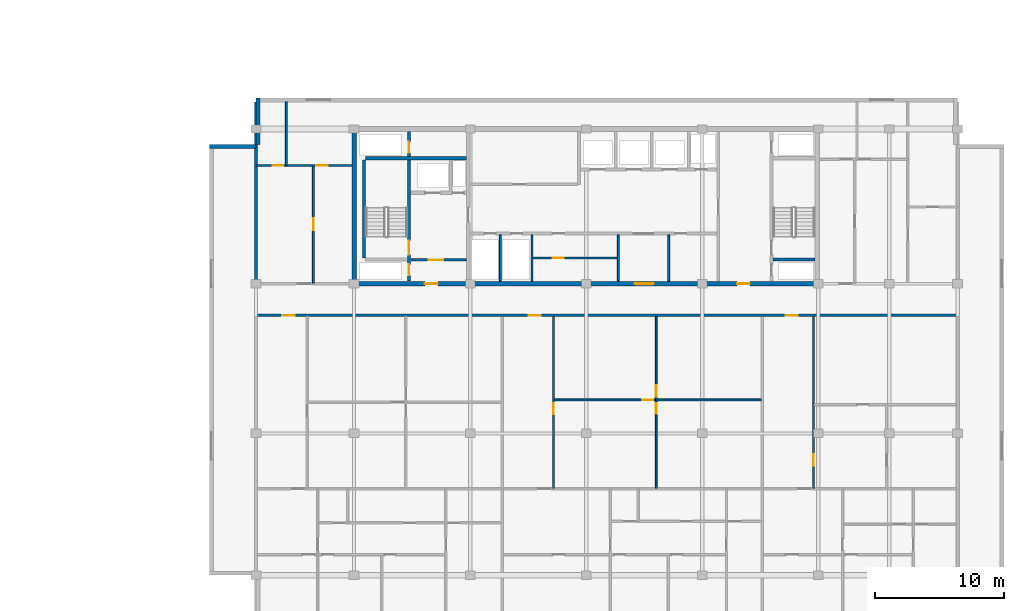
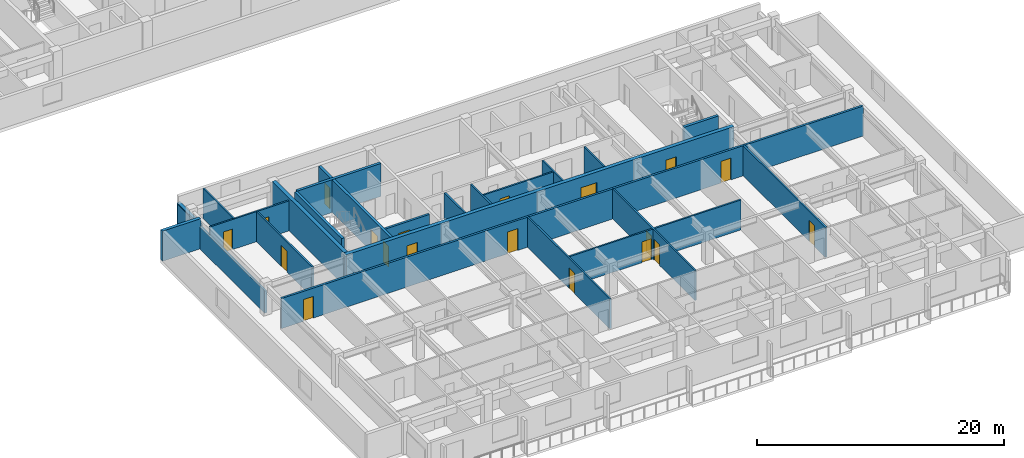
# One storey, part 6 of 23: 23 walls, 19 doors, 19 openings.
"""IFC4 building model written with IfcOpenShell, lengths in metres."""

from ifc_helpers import new_model, si_unit, direction, frame, frame_2d, origin, place, context, subcontext, project, spatial, rectangle, extrude, material, layer, layer_set, type_object, element, fill, save


model = new_model("IFC4")

# Units and contexts
model_context = context("Model", 3, precision=1e-05, world=origin(), true_north=direction((0.0, 1.0)))
body_context = subcontext(model_context, "Body", "Model", "MODEL_VIEW")
ifc_project = project(units=[si_unit("LENGTHUNIT", "METRE"), si_unit("AREAUNIT", "SQUARE_METRE"), si_unit("VOLUMEUNIT", "CUBIC_METRE"), si_unit("PLANEANGLEUNIT", "RADIAN"), si_unit("MASSUNIT", "GRAM", prefix="KILO")], contexts=[model_context])

# Site, building, storey
site_placement = place(None, origin())
site = spatial("IfcSite", under=ifc_project, at=site_placement, CompositionType="ELEMENT")
building_placement = place(site_placement, origin())
building = spatial("IfcBuilding", under=site, at=building_placement, Name="Korimba Cascade Residences", CompositionType="ELEMENT")
storey_placement = place(building_placement, frame((0.0, 0.0, 162.10009765625)))
storey = spatial("IfcBuildingStorey", under=building, at=storey_placement, Name="L46", CompositionType="ELEMENT", Elevation=162.10009765625)

# Walls
ifc_material_1 = material(Name="Precast concrete C40/50", Category="concrete")
ifc_layer_1 = layer(ifc_material_1, 0.300048828125)
ifc_layer_set_1 = layer_set([ifc_layer_1], Name="Precast concrete C40/50")
wall_type_1 = type_object("IfcWallType", Name="EW-STONE-300", PredefinedType="STANDARD", material=ifc_layer_set_1)
wall_1_placement = place(storey_placement, frame((74.64990234375, 32.800048828125, 0.0), z_axis=(0.0, 0.0, 1.0), x_axis=(0.0, -1.0, 0.0)))
element("IfcWall", 1, at=wall_1_placement, inside=storey, type_object=wall_type_1, Name="L46 T2 Perimeter Stone Wall E07", PredefinedType="STANDARD", context=body_context, shape_type="SweptSolid", body=[
    extrude(rectangle(XDim=3.60009765625, YDim=0.300048828125, at=frame_2d((1.800048828125, 0.0))), origin(), (0.0, 0.0, 1.0), 2.2001953125),
])
wall_2_placement = place(storey_placement, frame((74.5, 29.050048828125, 0.0), z_axis=(0.0, 0.0, 1.0), x_axis=(-1.0, 0.0, 0.0)))
element("IfcWall", 2, at=wall_2_placement, inside=storey, type_object=wall_type_1, Name="L46 T2 Perimeter Stone Wall E08", PredefinedType="STANDARD", context=body_context, shape_type="SweptSolid", body=[
    extrude(rectangle(XDim=3.60009765625, YDim=0.300048828125, at=frame_2d((1.800048828125, 0.0))), origin(), (0.0, 0.0, 1.0), 2.969970703125),
])
ifc_material_2 = material(Name="Concrete C65/80", Category="concrete")
ifc_layer_2 = layer(ifc_material_2, 0.35009765625)
ifc_layer_set_2 = layer_set([ifc_layer_2], Name="Concrete C65/80")
wall_type_2 = type_object("IfcWallType", Name="WAL-CORE-350", PredefinedType="SHEAR", material=ifc_layer_set_2)
wall_3_placement = place(storey_placement, frame((82.10009765625, 18.574951171875, 0.0), z_axis=(0.0, 0.0, 1.0), x_axis=(0.0, 1.0, 0.0)))
element("IfcWall", 3, at=wall_3_placement, inside=storey, type_object=wall_type_2, Name="L46 Core Shear Wall CW-L46-T2-W", PredefinedType="SHEAR", context=body_context, shape_type="SweptSolid", body=[
    extrude(rectangle(XDim=11.650146484375, YDim=0.35009765625, at=frame_2d((5.8251953125, 0.0))), origin(), (0.0, 0.0, 1.0), 3.25),
])

# Wall, openings, doors
wall_4_placement = place(storey_placement, frame((81.925048828125, 18.39990234375, 0.0), z_axis=(0.0, 0.0, 1.0), x_axis=(1.0, 0.0, 0.0)))
wall_4 = element("IfcWall", 4, at=wall_4_placement, inside=storey, type_object=wall_type_2, Name="L46 Core Shear Wall CW-L46-T2-S", PredefinedType="SHEAR", context=body_context, shape_type="SweptSolid", body=[
    extrude(rectangle(XDim=36.264892578125, YDim=0.35009765625, at=frame_2d((18.13232421875, 0.0))), origin(), (0.0, 0.0, 1.0), 3.25),
])
opening_1_placement = place(wall_4_placement, frame((5.675048828125, 0.0, 0.0)))
opening_1 = element("IfcOpeningElement", 5, at=opening_1_placement, cuts=wall_4, Name="Opening D-FD5", PredefinedType="OPENING", context=body_context, shape_type="SweptSolid", body=[
    extrude(rectangle(XDim=1.0, YDim=2.14990234375, at=frame_2d((0.5, 1.074951171875))), frame((0.0, 0.18505859375, 0.0), z_axis=(0.0, -1.0, 0.0), x_axis=(1.0, 0.0, 0.0)), (0.0, 0.0, 1.0), 0.3701171875),
])
opening_2_placement = place(wall_4_placement, frame((21.925048828125, 0.0, 0.0)))
opening_2 = element("IfcOpeningElement", 6, at=opening_2_placement, cuts=wall_4, Name="Opening D-FD8", PredefinedType="OPENING", context=body_context, shape_type="SweptSolid", body=[
    extrude(rectangle(XDim=1.5, YDim=2.199951171875, at=frame_2d((0.75, 1.10009765625))), frame((0.0, 0.18505859375, 0.0), z_axis=(0.0, -1.0, 0.0), x_axis=(1.0, 0.0, 0.0)), (0.0, 0.0, 1.0), 0.3701171875),
])
opening_3_placement = place(wall_4_placement, frame((29.875, 0.0, 0.0)))
opening_3 = element("IfcOpeningElement", 7, at=opening_3_placement, cuts=wall_4, Name="Opening D-FD5", PredefinedType="OPENING", context=body_context, shape_type="SweptSolid", body=[
    extrude(rectangle(XDim=1.0, YDim=2.14990234375, at=frame_2d((0.5, 1.074951171875))), frame((0.0, 0.18505859375, 0.0), z_axis=(0.0, -1.0, 0.0), x_axis=(1.0, 0.0, 0.0)), (0.0, 0.0, 1.0), 0.3701171875),
])
ifc_material_3 = material(Name="Fire-Rated Acoustic Timber Vestibule Door", Category="wood")
door_type_1 = type_object("IfcDoorType", Name="DR-FD90-1000", OperationType="NOTDEFINED", PredefinedType="DOOR", material=ifc_material_3)
door_1_placement = place(opening_1_placement, origin())
door_1 = element("IfcDoor", 8, at=door_1_placement, inside=storey, type_object=door_type_1, Name="L46 T2 West Core Vestibule Fire Door", OperationType="SINGLE_SWING_LEFT", OverallHeight=2.14990234375, OverallWidth=1.0, PredefinedType="DOOR", context=body_context, shape_type="SweptSolid", body=[
    extrude(rectangle(XDim=1.0, YDim=2.14990234375, at=frame_2d((0.5, 1.074951171875))), frame((0.0, 0.02490234375, 0.0), z_axis=(0.0, -1.0, 0.0), x_axis=(1.0, 0.0, 0.0)), (0.0, 0.0, 1.0), 0.050048828125),
])
fill(opening_1, door_1)
door_2_placement = place(opening_3_placement, origin())
door_2 = element("IfcDoor", 9, at=door_2_placement, inside=storey, type_object=door_type_1, Name="L46 T2 East Stair Vestibule Fire Door", OperationType="SINGLE_SWING_RIGHT", OverallHeight=2.14990234375, OverallWidth=1.0, PredefinedType="DOOR", context=body_context, shape_type="SweptSolid", body=[
    extrude(rectangle(XDim=1.0, YDim=2.14990234375, at=frame_2d((0.5, 1.074951171875))), frame((0.0, 0.02490234375, 0.0), z_axis=(0.0, -1.0, 0.0), x_axis=(1.0, 0.0, 0.0)), (0.0, 0.0, 1.0), 0.050048828125),
])
fill(opening_3, door_2)
ifc_material_4 = material(Name="Fire-Rated Glazed Lift Lobby Double Door", Category="glass")
door_type_2 = type_object("IfcDoorType", Name="DR-FD90-1500", OperationType="NOTDEFINED", PredefinedType="DOOR", material=ifc_material_4)
door_3_placement = place(opening_2_placement, origin())
door_3 = element("IfcDoor", 10, at=door_3_placement, inside=storey, type_object=door_type_2, Name="L46 T2 Lift Lobby Fire Door", OperationType="DOUBLE_DOOR_SINGLE_SWING", OverallHeight=2.199951171875, OverallWidth=1.5, PredefinedType="DOOR", context=body_context, shape_type="SweptSolid", body=[
    extrude(rectangle(XDim=1.5, YDim=2.199951171875, at=frame_2d((0.75, 1.10009765625))), frame((0.0, 0.02490234375, 0.0), z_axis=(0.0, -1.0, 0.0), x_axis=(1.0, 0.0, 0.0)), (0.0, 0.0, 1.0), 0.050048828125),
])
fill(opening_2, door_3)

# Wall
ifc_layer_3 = layer(ifc_material_1, 0.199951171875)
ifc_layer_set_3 = layer_set([ifc_layer_3], Name="Precast concrete C40/50")
wall_type_3 = type_object("IfcWallType", Name="WAL-IT-200", PredefinedType="PARTITIONING", material=ifc_layer_set_3)
wall_5_placement = place(storey_placement, frame((74.5, 18.39990234375, 0.0), z_axis=(0.0, 0.0, 1.0), x_axis=(0.0, 1.0, 0.0)))
element("IfcWall", 11, at=wall_5_placement, inside=storey, type_object=wall_type_3, Name="L46 Partition Wall WAL-L46-T2-FW-WL", PredefinedType="PARTITIONING", context=body_context, shape_type="SweptSolid", body=[
    extrude(rectangle(XDim=14.10009765625, YDim=0.199951171875, at=frame_2d((7.050048828125, 0.0))), origin(), (0.0, 0.0, 1.0), 2.2001953125),
])

# Wall, openings, doors
wall_6_placement = place(storey_placement, frame((74.5, 15.949951171875, 0.0), z_axis=(0.0, 0.0, 1.0), x_axis=(1.0, 0.0, 0.0)))
wall_6 = element("IfcWall", 12, at=wall_6_placement, inside=storey, type_object=wall_type_3, Name="L46 Partition Wall WAL-L46-T2-CORS", PredefinedType="PARTITIONING", context=body_context, shape_type="SweptSolid", body=[
    extrude(rectangle(XDim=54.39990234375, YDim=0.199951171875, at=frame_2d((27.199951171875, 0.0))), origin(), (0.0, 0.0, 1.0), 2.969970703125),
])
opening_4_placement = place(wall_6_placement, frame((2.044921875, 0.0, 0.0)))
opening_4 = element("IfcOpeningElement", 13, at=opening_4_placement, cuts=wall_6, Name="Opening D-UN1", PredefinedType="OPENING", context=body_context, shape_type="SweptSolid", body=[
    extrude(rectangle(XDim=0.949951171875, YDim=2.14990234375, at=frame_2d((0.47509765625, 1.074951171875))), frame((0.0, 0.10986328125, 0.0), z_axis=(0.0, -1.0, 0.0), x_axis=(1.0, 0.0, 0.0)), (0.0, 0.0, 1.0), 0.219970703125),
])
opening_5_placement = place(wall_6_placement, frame((21.144287109375, 0.0, 0.0)))
opening_5 = element("IfcOpeningElement", 14, at=opening_5_placement, cuts=wall_6, Name="Opening D-UN1", PredefinedType="OPENING", context=body_context, shape_type="SweptSolid", body=[
    extrude(rectangle(XDim=0.949951171875, YDim=2.14990234375, at=frame_2d((0.47509765625, 1.074951171875))), frame((0.0, 0.10986328125, 0.0), z_axis=(0.0, -1.0, 0.0), x_axis=(1.0, 0.0, 0.0)), (0.0, 0.0, 1.0), 0.219970703125),
])
opening_6_placement = place(wall_6_placement, frame((41.0703125, 0.0, 0.0)))
opening_6 = element("IfcOpeningElement", 15, at=opening_6_placement, cuts=wall_6, Name="Opening D-UN1", PredefinedType="OPENING", context=body_context, shape_type="SweptSolid", body=[
    extrude(rectangle(XDim=0.949951171875, YDim=2.14990234375, at=frame_2d((0.47509765625, 1.074951171875))), frame((0.0, 0.10986328125, 0.0), z_axis=(0.0, -1.0, 0.0), x_axis=(1.0, 0.0, 0.0)), (0.0, 0.0, 1.0), 0.219970703125),
])
ifc_material_5 = material(Name="Fire-Rated Hardwood Apartment Entrance Door", Category="wood")
door_type_3 = type_object("IfcDoorType", Name="DR-FD60-950", OperationType="NOTDEFINED", PredefinedType="DOOR", material=ifc_material_5)
door_4_placement = place(opening_4_placement, origin())
door_4 = element("IfcDoor", 16, at=door_4_placement, inside=storey, type_object=door_type_3, Name="Unit L46-T2-U01 Entrance Door", OperationType="SINGLE_SWING_RIGHT", OverallHeight=2.14990234375, OverallWidth=0.949951171875, PredefinedType="DOOR", context=body_context, shape_type="SweptSolid", body=[
    extrude(rectangle(XDim=0.949951171875, YDim=2.14990234375, at=frame_2d((0.47509765625, 1.074951171875))), frame((0.0, 0.02490234375, 0.0), z_axis=(0.0, -1.0, 0.0), x_axis=(1.0, 0.0, 0.0)), (0.0, 0.0, 1.0), 0.050048828125),
])
fill(opening_4, door_4)
door_5_placement = place(opening_5_placement, origin())
door_5 = element("IfcDoor", 17, at=door_5_placement, inside=storey, type_object=door_type_3, Name="Unit L46-T2-U02 Entrance Door", OperationType="SINGLE_SWING_LEFT", OverallHeight=2.14990234375, OverallWidth=0.949951171875, PredefinedType="DOOR", context=body_context, shape_type="SweptSolid", body=[
    extrude(rectangle(XDim=0.949951171875, YDim=2.14990234375, at=frame_2d((0.47509765625, 1.074951171875))), frame((0.0, 0.02490234375, 0.0), z_axis=(0.0, -1.0, 0.0), x_axis=(1.0, 0.0, 0.0)), (0.0, 0.0, 1.0), 0.050048828125),
])
fill(opening_5, door_5)
door_6_placement = place(opening_6_placement, origin())
door_6 = element("IfcDoor", 18, at=door_6_placement, inside=storey, type_object=door_type_3, Name="Unit L46-T2-U03 Entrance Door", OperationType="SINGLE_SWING_RIGHT", OverallHeight=2.14990234375, OverallWidth=0.949951171875, PredefinedType="DOOR", context=body_context, shape_type="SweptSolid", body=[
    extrude(rectangle(XDim=0.949951171875, YDim=2.14990234375, at=frame_2d((0.47509765625, 1.074951171875))), frame((0.0, 0.02490234375, 0.0), z_axis=(0.0, -1.0, 0.0), x_axis=(1.0, 0.0, 0.0)), (0.0, 0.0, 1.0), 0.050048828125),
])
fill(opening_6, door_6)

# Walls
ifc_material_6 = material(Name="Insulated Acoustic Stud Partition", Category="gypsum")
ifc_layer_4 = layer(ifc_material_6, 0.14990234375)
ifc_layer_set_4 = layer_set([ifc_layer_4], Name="Insulated Acoustic Stud Partition")
wall_type_4 = type_object("IfcWallType", Name="WAL-PART-150", PredefinedType="PARTITIONING", material=ifc_layer_set_4)
for number, where, z_axis, x_axis, name in (
    (19, (93.449951171875, 18.60009765625, 0.0), (0.0, 0.0, 1.0), (0.0, 1.0, 0.0), "L46 Partition Wall CW-L46-T2-ERDIV"),
    (20, (95.89990234375, 18.60009765625, 0.0), (0.0, 0.0, 1.0), (0.0, 1.0, 0.0), "L46 Partition Wall CW-L46-T2-PRDIV"),
):
    element("IfcWall", number, at=place(storey_placement, frame(where, z_axis=z_axis, x_axis=x_axis)), inside=storey, type_object=wall_type_4, Name=name, PredefinedType="PARTITIONING", context=body_context, shape_type="SweptSolid", body=[
        extrude(rectangle(XDim=3.599853515625, YDim=0.14990234375, at=frame_2d((1.7998046875, 0.0))), origin(), (0.0, 0.0, 1.0), 2.969970703125),
    ])

# Wall, opening, door
wall_7_placement = place(storey_placement, frame((95.89990234375, 20.39990234375, 0.0), z_axis=(0.0, 0.0, 1.0), x_axis=(1.0, 0.0, 0.0)))
wall_7 = element("IfcWall", 21, at=wall_7_placement, inside=storey, type_object=wall_type_4, Name="L46 Partition Wall CW-L46-T2-CA2HZ", PredefinedType="PARTITIONING", context=body_context, shape_type="SweptSolid", body=[
    extrude(rectangle(XDim=6.7001953125, YDim=0.14990234375, at=frame_2d((3.35009765625, 0.0))), origin(), (0.0, 0.0, 1.0), 2.969970703125),
])
opening_7_placement = place(wall_7_placement, frame((1.60009765625, 0.0, 0.0)))
opening_7 = element("IfcOpeningElement", 22, at=opening_7_placement, cuts=wall_7, Name="Opening D-IN2", PredefinedType="OPENING", context=body_context, shape_type="SweptSolid", body=[
    extrude(rectangle(XDim=0.8798828125, YDim=2.06005859375, at=frame_2d((0.43994140625, 1.030029296875))), frame((0.0, 0.0849609375, 0.0), z_axis=(0.0, -1.0, 0.0), x_axis=(1.0, 0.0, 0.0)), (0.0, 0.0, 1.0), 0.169921875),
])
ifc_material_7 = material(Name="Acoustic Timber Bedroom Door", Category="wood")
door_type_4 = type_object("IfcDoorType", Name="DR-INT-880", OperationType="NOTDEFINED", PredefinedType="DOOR", material=ifc_material_7)
door_7_placement = place(opening_7_placement, origin())
door_7 = element("IfcDoor", 23, at=door_7_placement, inside=storey, type_object=door_type_4, Name="L46 T2 Pram Store Door", OperationType="SINGLE_SWING_LEFT", OverallHeight=2.06005859375, OverallWidth=0.8798828125, PredefinedType="DOOR", context=body_context, shape_type="SweptSolid", body=[
    extrude(rectangle(XDim=0.8798828125, YDim=2.06005859375, at=frame_2d((0.43994140625, 1.030029296875))), frame((0.0, 0.02490234375, 0.0), z_axis=(0.0, -1.0, 0.0), x_axis=(1.0, 0.0, 0.0)), (0.0, 0.0, 1.0), 0.050048828125),
])
fill(opening_7, door_7)

# Walls
for number, where, z_axis, x_axis, name in (
    (24, (102.60009765625, 18.60009765625, 0.0), (0.0, 0.0, 1.0), (0.0, 1.0, 0.0), "L46 Partition Wall CW-L46-T2-THW"),
    (25, (106.5, 18.60009765625, 0.0), (0.0, 0.0, 1.0), (0.0, 1.0, 0.0), "L46 Partition Wall CW-L46-T2-THE"),
):
    element("IfcWall", number, at=place(storey_placement, frame(where, z_axis=z_axis, x_axis=x_axis)), inside=storey, type_object=wall_type_4, Name=name, PredefinedType="PARTITIONING", context=body_context, shape_type="SweptSolid", body=[
        extrude(rectangle(XDim=3.599853515625, YDim=0.14990234375, at=frame_2d((1.7998046875, 0.0))), origin(), (0.0, 0.0, 1.0), 2.969970703125),
    ])

# Wall, opening, door
wall_8_placement = place(storey_placement, frame((78.945068359375, 18.449951171875, 0.0), z_axis=(0.0, 0.0, 1.0), x_axis=(0.0, 1.0, 0.0)))
wall_8 = element("IfcWall", 26, at=wall_8_placement, inside=storey, type_object=wall_type_4, Name="L46 Partition Wall WAL-L46-T2-FW-VS", PredefinedType="PARTITIONING", context=body_context, shape_type="SweptSolid", body=[
    extrude(rectangle(XDim=9.1201171875, YDim=0.14990234375, at=frame_2d((4.56005859375, 0.0))), origin(), (0.0, 0.0, 1.0), 2.969970703125),
])
opening_8_placement = place(wall_8_placement, frame((4.10009765625, 0.0, 0.0)))
opening_8 = element("IfcOpeningElement", 27, at=opening_8_placement, cuts=wall_8, Name="Opening D-IN1", PredefinedType="OPENING", context=body_context, shape_type="SweptSolid", body=[
    extrude(rectangle(XDim=0.919921875, YDim=2.080078125, at=frame_2d((0.4599609375, 1.0400390625))), frame((0.0, 0.0849609375, 0.0), z_axis=(0.0, -1.0, 0.0), x_axis=(1.0, 0.0, 0.0)), (0.0, 0.0, 1.0), 0.169921875),
])
ifc_material_8 = material(Name="Acoustic Timber Living Door", Category="wood")
door_type_5 = type_object("IfcDoorType", Name="DR-INT-920", OperationType="NOTDEFINED", PredefinedType="DOOR", material=ifc_material_8)
door_8_placement = place(opening_8_placement, origin())
door_8 = element("IfcDoor", 28, at=door_8_placement, inside=storey, type_object=door_type_5, Name="L46-T2-FW Living Door", OperationType="SINGLE_SWING_RIGHT", OverallHeight=2.080078125, OverallWidth=0.919921875, PredefinedType="DOOR", context=body_context, shape_type="SweptSolid", body=[
    extrude(rectangle(XDim=0.919921875, YDim=2.080078125, at=frame_2d((0.4599609375, 1.0400390625))), frame((0.0, 0.02490234375, 0.0), z_axis=(0.0, -1.0, 0.0), x_axis=(1.0, 0.0, 0.0)), (0.0, 0.0, 1.0), 0.050048828125),
])
fill(opening_8, door_8)

# Wall
wall_9_placement = place(storey_placement, frame((76.85009765625, 27.570068359375, 0.0), z_axis=(0.0, 0.0, 1.0), x_axis=(0.0, 1.0, 0.0)))
element("IfcWall", 29, at=wall_9_placement, inside=storey, type_object=wall_type_4, Name="L46 Partition Wall WAL-L46-T2-FW-VN", PredefinedType="PARTITIONING", context=body_context, shape_type="SweptSolid", body=[
    extrude(rectangle(XDim=4.929931640625, YDim=0.14990234375, at=frame_2d((2.46484375, 0.0))), origin(), (0.0, 0.0, 1.0), 2.969970703125),
])

# Wall, openings, doors
wall_10_placement = place(storey_placement, frame((74.52001953125, 27.570068359375, 0.0), z_axis=(0.0, 0.0, 1.0), x_axis=(1.0, 0.0, 0.0)))
wall_10 = element("IfcWall", 30, at=wall_10_placement, inside=storey, type_object=wall_type_4, Name="L46 Partition Wall WAL-L46-T2-FW-H", PredefinedType="PARTITIONING", context=body_context, shape_type="SweptSolid", body=[
    extrude(rectangle(XDim=7.409912109375, YDim=0.14990234375, at=frame_2d((3.705078125, 0.0))), origin(), (0.0, 0.0, 1.0), 2.969970703125),
])
opening_9_placement = place(wall_10_placement, frame((1.266357421875, 0.0, 0.0)))
opening_9 = element("IfcOpeningElement", 31, at=opening_9_placement, cuts=wall_10, Name="Opening D-BT1", PredefinedType="OPENING", context=body_context, shape_type="SweptSolid", body=[
    extrude(rectangle(XDim=0.840087890625, YDim=2.0400390625, at=frame_2d((0.419921875, 1.02001953125))), frame((0.0, 0.0849609375, 0.0), z_axis=(0.0, -1.0, 0.0), x_axis=(1.0, 0.0, 0.0)), (0.0, 0.0, 1.0), 0.169921875),
])
opening_10_placement = place(wall_10_placement, frame((4.64501953125, 0.0, 0.0)))
opening_10 = element("IfcOpeningElement", 32, at=opening_10_placement, cuts=wall_10, Name="Opening D-IN2", PredefinedType="OPENING", context=body_context, shape_type="SweptSolid", body=[
    extrude(rectangle(XDim=0.8798828125, YDim=2.06005859375, at=frame_2d((0.43994140625, 1.030029296875))), frame((0.0, 0.0849609375, 0.0), z_axis=(0.0, -1.0, 0.0), x_axis=(1.0, 0.0, 0.0)), (0.0, 0.0, 1.0), 0.169921875),
])
ifc_material_9 = material(Name="Moisture-Resistant Bathroom Timber Door", Category="wood")
door_type_6 = type_object("IfcDoorType", Name="DR-INT-850", OperationType="NOTDEFINED", PredefinedType="DOOR", material=ifc_material_9)
door_9_placement = place(opening_9_placement, origin())
door_9 = element("IfcDoor", 33, at=door_9_placement, inside=storey, type_object=door_type_6, Name="L46-T2-FW Bathroom Door", OperationType="SINGLE_SWING_LEFT", OverallHeight=2.0400390625, OverallWidth=0.840087890625, PredefinedType="DOOR", context=body_context, shape_type="SweptSolid", body=[
    extrude(rectangle(XDim=0.840087890625, YDim=2.0400390625, at=frame_2d((0.419921875, 1.02001953125))), frame((0.0, 0.02490234375, 0.0), z_axis=(0.0, -1.0, 0.0), x_axis=(1.0, 0.0, 0.0)), (0.0, 0.0, 1.0), 0.050048828125),
])
fill(opening_9, door_9)
door_10_placement = place(opening_10_placement, origin())
door_10 = element("IfcDoor", 34, at=door_10_placement, inside=storey, type_object=door_type_4, Name="L46-T2-FW Bedroom Door", OperationType="SINGLE_SWING_RIGHT", OverallHeight=2.06005859375, OverallWidth=0.8798828125, PredefinedType="DOOR", context=body_context, shape_type="SweptSolid", body=[
    extrude(rectangle(XDim=0.8798828125, YDim=2.06005859375, at=frame_2d((0.43994140625, 1.030029296875))), frame((0.0, 0.02490234375, 0.0), z_axis=(0.0, -1.0, 0.0), x_axis=(1.0, 0.0, 0.0)), (0.0, 0.0, 1.0), 0.050048828125),
])
fill(opening_10, door_10)

wall_11_placement = place(storey_placement, frame((105.534912109375, 2.5400390625, 0.0), z_axis=(0.0, 0.0, 1.0), x_axis=(0.0, 1.0, 0.0)))
wall_11 = element("IfcWall", 35, at=wall_11_placement, inside=storey, type_object=wall_type_4, Name="L46 Partition Wall WAL-L46-T2-U02-FMV", PredefinedType="PARTITIONING", context=body_context, shape_type="SweptSolid", body=[
    extrude(rectangle(XDim=13.349853515625, YDim=0.14990234375, at=frame_2d((6.6748046875, 0.0))), origin(), (0.0, 0.0, 1.0), 2.969970703125),
])
opening_11_placement = place(wall_11_placement, frame((5.764892578125, 0.0, 0.0)))
opening_11 = element("IfcOpeningElement", 36, at=opening_11_placement, cuts=wall_11, Name="Opening D-BT1", PredefinedType="OPENING", context=body_context, shape_type="SweptSolid", body=[
    extrude(rectangle(XDim=0.840087890625, YDim=2.0400390625, at=frame_2d((0.419921875, 1.02001953125))), frame((0.0, 0.0849609375, 0.0), z_axis=(0.0, -1.0, 0.0), x_axis=(1.0, 0.0, 0.0)), (0.0, 0.0, 1.0), 0.169921875),
])
opening_12_placement = place(wall_11_placement, frame((7.10498046875, 0.0, 0.0)))
opening_12 = element("IfcOpeningElement", 37, at=opening_12_placement, cuts=wall_11, Name="Opening D-IN2", PredefinedType="OPENING", context=body_context, shape_type="SweptSolid", body=[
    extrude(rectangle(XDim=0.8798828125, YDim=2.06005859375, at=frame_2d((0.43994140625, 1.030029296875))), frame((0.0, 0.0849609375, 0.0), z_axis=(0.0, -1.0, 0.0), x_axis=(1.0, 0.0, 0.0)), (0.0, 0.0, 1.0), 0.169921875),
])
door_11_placement = place(opening_11_placement, origin())
door_11 = element("IfcDoor", 38, at=door_11_placement, inside=storey, type_object=door_type_6, Name="L46-T2-U02 Wardrobe Door", OperationType="SINGLE_SWING_LEFT", OverallHeight=2.0400390625, OverallWidth=0.840087890625, PredefinedType="DOOR", context=body_context, shape_type="SweptSolid", body=[
    extrude(rectangle(XDim=0.840087890625, YDim=2.0400390625, at=frame_2d((0.419921875, 1.02001953125))), frame((0.0, 0.02490234375, 0.0), z_axis=(0.0, -1.0, 0.0), x_axis=(1.0, 0.0, 0.0)), (0.0, 0.0, 1.0), 0.050048828125),
])
fill(opening_11, door_11)
door_12_placement = place(opening_12_placement, origin())
door_12 = element("IfcDoor", 39, at=door_12_placement, inside=storey, type_object=door_type_4, Name="L46-T2-U02 Music Lounge Door", OperationType="SINGLE_SWING_RIGHT", OverallHeight=2.06005859375, OverallWidth=0.8798828125, PredefinedType="DOOR", context=body_context, shape_type="SweptSolid", body=[
    extrude(rectangle(XDim=0.8798828125, YDim=2.06005859375, at=frame_2d((0.43994140625, 1.030029296875))), frame((0.0, 0.02490234375, 0.0), z_axis=(0.0, -1.0, 0.0), x_axis=(1.0, 0.0, 0.0)), (0.0, 0.0, 1.0), 0.050048828125),
])
fill(opening_12, door_12)

# Wall, opening, door
wall_12_placement = place(storey_placement, frame((97.629150390625, 9.39501953125, 0.0), z_axis=(0.0, 0.0, 1.0), x_axis=(1.0, 0.0, 0.0)))
wall_12 = element("IfcWall", 40, at=wall_12_placement, inside=storey, type_object=wall_type_4, Name="L46 Partition Wall WAL-L46-T2-U02-FMH", PredefinedType="PARTITIONING", context=body_context, shape_type="SweptSolid", body=[
    extrude(rectangle(XDim=16.05126953125, YDim=0.14990234375, at=frame_2d((8.025634765625, 0.0))), origin(), (0.0, 0.0, 1.0), 2.969970703125),
])
opening_13_placement = place(wall_12_placement, frame((6.8056640625, 0.0, 0.0)))
opening_13 = element("IfcOpeningElement", 41, at=opening_13_placement, cuts=wall_12, Name="Opening D-IN2", PredefinedType="OPENING", context=body_context, shape_type="SweptSolid", body=[
    extrude(rectangle(XDim=0.8798828125, YDim=2.06005859375, at=frame_2d((0.43994140625, 1.030029296875))), frame((0.0, 0.0849609375, 0.0), z_axis=(0.0, -1.0, 0.0), x_axis=(1.0, 0.0, 0.0)), (0.0, 0.0, 1.0), 0.169921875),
])
door_13_placement = place(opening_13_placement, origin())
door_13 = element("IfcDoor", 42, at=door_13_placement, inside=storey, type_object=door_type_4, Name="L46-T2-U02 Library Salon Door", OperationType="SINGLE_SWING_LEFT", OverallHeight=2.06005859375, OverallWidth=0.8798828125, PredefinedType="DOOR", context=body_context, shape_type="SweptSolid", body=[
    extrude(rectangle(XDim=0.8798828125, YDim=2.06005859375, at=frame_2d((0.43994140625, 1.030029296875))), frame((0.0, 0.02490234375, 0.0), z_axis=(0.0, -1.0, 0.0), x_axis=(1.0, 0.0, 0.0)), (0.0, 0.0, 1.0), 0.050048828125),
])
fill(opening_13, door_13)

wall_13_placement = place(storey_placement, frame((97.569091796875, 2.5400390625, 0.0), z_axis=(0.0, 0.0, 1.0), x_axis=(0.0, 1.0, 0.0)))
wall_13 = element("IfcWall", 43, at=wall_13_placement, inside=storey, type_object=wall_type_4, Name="L46 Partition Wall WAL-L46-T2-U02-FV", PredefinedType="PARTITIONING", context=body_context, shape_type="SweptSolid", body=[
    extrude(rectangle(XDim=13.349853515625, YDim=0.14990234375, at=frame_2d((6.6748046875, 0.0))), origin(), (0.0, 0.0, 1.0), 2.969970703125),
])
opening_14_placement = place(wall_13_placement, frame((5.72509765625, 0.0, 0.0)))
opening_14 = element("IfcOpeningElement", 44, at=opening_14_placement, cuts=wall_13, Name="Opening D-IN2", PredefinedType="OPENING", context=body_context, shape_type="SweptSolid", body=[
    extrude(rectangle(XDim=0.8798828125, YDim=2.06005859375, at=frame_2d((0.43994140625, 1.030029296875))), frame((0.0, 0.0849609375, 0.0), z_axis=(0.0, -1.0, 0.0), x_axis=(1.0, 0.0, 0.0)), (0.0, 0.0, 1.0), 0.169921875),
])
door_14_placement = place(opening_14_placement, origin())
door_14 = element("IfcDoor", 45, at=door_14_placement, inside=storey, type_object=door_type_4, Name="L46-T2-U02 Media Lounge Door", OperationType="SINGLE_SWING_RIGHT", OverallHeight=2.06005859375, OverallWidth=0.8798828125, PredefinedType="DOOR", context=body_context, shape_type="SweptSolid", body=[
    extrude(rectangle(XDim=0.8798828125, YDim=2.06005859375, at=frame_2d((0.43994140625, 1.030029296875))), frame((0.0, 0.02490234375, 0.0), z_axis=(0.0, -1.0, 0.0), x_axis=(1.0, 0.0, 0.0)), (0.0, 0.0, 1.0), 0.050048828125),
])
fill(opening_14, door_14)

wall_14_placement = place(storey_placement, frame((117.73046875, 2.5400390625, 0.0), z_axis=(0.0, 0.0, 1.0), x_axis=(0.0, 1.0, 0.0)))
wall_14 = element("IfcWall", 46, at=wall_14_placement, inside=storey, type_object=wall_type_4, Name="L46 Partition Wall WAL-L46-T2-U03-FV", PredefinedType="PARTITIONING", context=body_context, shape_type="SweptSolid", body=[
    extrude(rectangle(XDim=13.349853515625, YDim=0.14990234375, at=frame_2d((6.6748046875, 0.0))), origin(), (0.0, 0.0, 1.0), 2.969970703125),
])
opening_15_placement = place(wall_14_placement, frame((1.754150390625, 0.0, 0.0)))
opening_15 = element("IfcOpeningElement", 47, at=opening_15_placement, cuts=wall_14, Name="Opening D-IN2", PredefinedType="OPENING", context=body_context, shape_type="SweptSolid", body=[
    extrude(rectangle(XDim=0.8798828125, YDim=2.06005859375, at=frame_2d((0.43994140625, 1.030029296875))), frame((0.0, 0.0849609375, 0.0), z_axis=(0.0, -1.0, 0.0), x_axis=(1.0, 0.0, 0.0)), (0.0, 0.0, 1.0), 0.169921875),
])
door_15_placement = place(opening_15_placement, origin())
door_15 = element("IfcDoor", 48, at=door_15_placement, inside=storey, type_object=door_type_4, Name="L46-T2-U03 Media Lounge Door", OperationType="SINGLE_SWING_RIGHT", OverallHeight=2.06005859375, OverallWidth=0.8798828125, PredefinedType="DOOR", context=body_context, shape_type="SweptSolid", body=[
    extrude(rectangle(XDim=0.8798828125, YDim=2.06005859375, at=frame_2d((0.43994140625, 1.030029296875))), frame((0.0, 0.02490234375, 0.0), z_axis=(0.0, -1.0, 0.0), x_axis=(1.0, 0.0, 0.0)), (0.0, 0.0, 1.0), 0.050048828125),
])
fill(opening_15, door_15)

ifc_material_10 = material(Name="Concrete C40/50", Category="concrete")
ifc_layer_5 = layer(ifc_material_10, 0.199951171875)
ifc_layer_set_5 = layer_set([ifc_layer_5], Name="Concrete C40/50")
wall_type_5 = type_object("IfcWallType", Name="WAL-PART-200", PredefinedType="PARTITIONING", material=ifc_layer_set_5)
wall_15_placement = place(storey_placement, frame((86.5, 20.25, 0.0), z_axis=(0.0, 0.0, 1.0), x_axis=(1.0, 0.0, 0.0)))
wall_15 = element("IfcWall", 49, at=wall_15_placement, inside=storey, type_object=wall_type_5, Name="L46 Partition Wall CW-L46-T2-FFLS", PredefinedType="PARTITIONING", context=body_context, shape_type="SweptSolid", body=[
    extrude(rectangle(XDim=4.320068359375, YDim=0.199951171875, at=frame_2d((2.16015625, 0.0))), origin(), (0.0, 0.0, 1.0), 2.969970703125),
])
opening_16_placement = place(wall_15_placement, frame((1.39990234375, 0.0, 0.0)))
opening_16 = element("IfcOpeningElement", 50, at=opening_16_placement, cuts=wall_15, Name="Opening D-FD1", PredefinedType="OPENING", context=body_context, shape_type="SweptSolid", body=[
    extrude(rectangle(XDim=1.10009765625, YDim=2.10009765625, at=frame_2d((0.550048828125, 1.050048828125))), frame((0.0, 0.10986328125, 0.0), z_axis=(0.0, -1.0, 0.0), x_axis=(1.0, 0.0, 0.0)), (0.0, 0.0, 1.0), 0.219970703125),
])
ifc_material_11 = material(Name="Fire-Rated Steel Core Door", Category="steel")
door_type_7 = type_object("IfcDoorType", Name="DR-FD120-1100", OperationType="NOTDEFINED", PredefinedType="DOOR", material=ifc_material_11)
door_16_placement = place(opening_16_placement, origin())
door_16 = element("IfcDoor", 51, at=door_16_placement, inside=storey, type_object=door_type_7, Name="L46 T2 Firefighting Lobby Door", OperationType="SINGLE_SWING_LEFT", OverallHeight=2.10009765625, OverallWidth=1.10009765625, PredefinedType="DOOR", context=body_context, shape_type="SweptSolid", body=[
    extrude(rectangle(XDim=1.10009765625, YDim=2.10009765625, at=frame_2d((0.550048828125, 1.050048828125))), frame((0.0, 0.02490234375, 0.0), z_axis=(0.0, -1.0, 0.0), x_axis=(1.0, 0.0, 0.0)), (0.0, 0.0, 1.0), 0.050048828125),
])
fill(opening_16, door_16)

# Wall
ifc_material_12 = material(Name="Concrete C50/60", Category="concrete")
ifc_layer_6 = layer(ifc_material_12, 0.25)
ifc_layer_set_6 = layer_set([ifc_layer_6], Name="Concrete C50/60")
wall_type_6 = type_object("IfcWallType", Name="WAL-SHAFT-250", PredefinedType="SHEAR", material=ifc_layer_set_6)
wall_16_placement = place(storey_placement, frame((82.875, 20.39990234375, 0.0), z_axis=(0.0, 0.0, 1.0), x_axis=(0.0, 1.0, 0.0)))
element("IfcWall", 52, at=wall_16_placement, inside=storey, type_object=wall_type_6, Name="L46 Core Shear Wall CW-L46-T2-STE1W", PredefinedType="SHEAR", context=body_context, shape_type="SweptSolid", body=[
    extrude(rectangle(XDim=7.60009765625, YDim=0.25, at=frame_2d((3.800048828125, 0.0))), origin(), (0.0, 0.0, 1.0), 3.25),
])

# Wall, openings, doors
wall_17_placement = place(storey_placement, frame((86.364990234375, 18.60009765625, 0.0), z_axis=(0.0, 0.0, 1.0), x_axis=(0.0, 1.0, 0.0)))
wall_17 = element("IfcWall", 53, at=wall_17_placement, inside=storey, type_object=wall_type_6, Name="L46 Core Shear Wall CW-L46-T2-STE1E", PredefinedType="SHEAR", context=body_context, shape_type="SweptSolid", body=[
    extrude(rectangle(XDim=11.599853515625, YDim=0.25, at=frame_2d((5.7998046875, 0.0))), origin(), (0.0, 0.0, 1.0), 3.25),
])
opening_17_placement = place(wall_17_placement, frame((0.449951171875, 0.0, 0.0)))
opening_17 = element("IfcOpeningElement", 54, at=opening_17_placement, cuts=wall_17, Name="Opening D-RS1", PredefinedType="OPENING", context=body_context, shape_type="SweptSolid", body=[
    extrude(rectangle(XDim=0.85009765625, YDim=2.050048828125, at=frame_2d((0.425048828125, 1.02490234375))), frame((0.0, 0.135009765625, 0.0), z_axis=(0.0, -1.0, 0.0), x_axis=(1.0, 0.0, 0.0)), (0.0, 0.0, 1.0), 0.27001953125),
])
opening_18_placement = place(wall_17_placement, frame((2.050048828125, 0.0, 0.0)))
opening_18 = element("IfcOpeningElement", 55, at=opening_18_placement, cuts=wall_17, Name="Opening D-FD1", PredefinedType="OPENING", context=body_context, shape_type="SweptSolid", body=[
    extrude(rectangle(XDim=1.10009765625, YDim=2.10009765625, at=frame_2d((0.550048828125, 1.050048828125))), frame((0.0, 0.135009765625, 0.0), z_axis=(0.0, -1.0, 0.0), x_axis=(1.0, 0.0, 0.0)), (0.0, 0.0, 1.0), 0.27001953125),
])
opening_19_placement = place(wall_17_placement, frame((9.949951171875, 0.0, 0.0)))
opening_19 = element("IfcOpeningElement", 56, at=opening_19_placement, cuts=wall_17, Name="Opening D-RS1", PredefinedType="OPENING", context=body_context, shape_type="SweptSolid", body=[
    extrude(rectangle(XDim=0.85009765625, YDim=2.050048828125, at=frame_2d((0.425048828125, 1.02490234375))), frame((0.0, 0.135009765625, 0.0), z_axis=(0.0, -1.0, 0.0), x_axis=(1.0, 0.0, 0.0)), (0.0, 0.0, 1.0), 0.27001953125),
])
door_17_placement = place(opening_18_placement, origin())
door_17 = element("IfcDoor", 57, at=door_17_placement, inside=storey, type_object=door_type_7, Name="L46 Fire Stair ST-E1 Door", OperationType="SINGLE_SWING_RIGHT", OverallHeight=2.10009765625, OverallWidth=1.10009765625, PredefinedType="DOOR", context=body_context, shape_type="SweptSolid", body=[
    extrude(rectangle(XDim=1.10009765625, YDim=2.10009765625, at=frame_2d((0.550048828125, 1.050048828125))), frame((0.0, 0.02490234375, 0.0), z_axis=(0.0, -1.0, 0.0), x_axis=(1.0, 0.0, 0.0)), (0.0, 0.0, 1.0), 0.050048828125),
])
fill(opening_18, door_17)
ifc_material_13 = material(Name="Fire-Rated Steel Riser Access Door", Category="steel")
door_type_8 = type_object("IfcDoorType", Name="DR-FD60-850", OperationType="NOTDEFINED", PredefinedType="DOOR", material=ifc_material_13)
door_18_placement = place(opening_17_placement, origin())
door_18 = element("IfcDoor", 58, at=door_18_placement, inside=storey, type_object=door_type_8, Name="L46 T2 Hydrant Riser Door", OperationType="SINGLE_SWING_LEFT", OverallHeight=2.050048828125, OverallWidth=0.85009765625, PredefinedType="DOOR", context=body_context, shape_type="SweptSolid", body=[
    extrude(rectangle(XDim=0.85009765625, YDim=2.050048828125, at=frame_2d((0.425048828125, 1.02490234375))), frame((0.0, 0.02490234375, 0.0), z_axis=(0.0, -1.0, 0.0), x_axis=(1.0, 0.0, 0.0)), (0.0, 0.0, 1.0), 0.050048828125),
])
fill(opening_17, door_18)
door_19_placement = place(opening_19_placement, origin())
door_19 = element("IfcDoor", 59, at=door_19_placement, inside=storey, type_object=door_type_8, Name="L46 T2 Smoke Shaft Door", OperationType="SINGLE_SWING_LEFT", OverallHeight=2.050048828125, OverallWidth=0.85009765625, PredefinedType="DOOR", context=body_context, shape_type="SweptSolid", body=[
    extrude(rectangle(XDim=0.85009765625, YDim=2.050048828125, at=frame_2d((0.425048828125, 1.02490234375))), frame((0.0, 0.02490234375, 0.0), z_axis=(0.0, -1.0, 0.0), x_axis=(1.0, 0.0, 0.0)), (0.0, 0.0, 1.0), 0.050048828125),
])
fill(opening_19, door_19)

# Walls
wall_18_placement = place(storey_placement, frame((83.0, 28.125, 0.0), z_axis=(0.0, 0.0, 1.0), x_axis=(1.0, 0.0, 0.0)))
element("IfcWall", 60, at=wall_18_placement, inside=storey, type_object=wall_type_6, Name="L46 Core Shear Wall CW-L46-T2-STE1N", PredefinedType="SHEAR", context=body_context, shape_type="SweptSolid", body=[
    extrude(rectangle(XDim=7.820068359375, YDim=0.25, at=frame_2d((3.91015625, 0.0))), origin(), (0.0, 0.0, 1.0), 3.25),
])
wall_19_placement = place(storey_placement, frame((114.60009765625, 20.27490234375, 0.0), z_axis=(0.0, 0.0, 1.0), x_axis=(1.0, 0.0, 0.0)))
element("IfcWall", 61, at=wall_19_placement, inside=storey, type_object=wall_type_6, Name="L46 Core Shear Wall CW-L46-T2-STE2S", PredefinedType="SHEAR", context=body_context, shape_type="SweptSolid", body=[
    extrude(rectangle(XDim=3.239990234375, YDim=0.25, at=frame_2d((1.6201171875, 0.0))), origin(), (0.0, 0.0, 1.0), 3.25),
])

save(model, "model.ifc")
